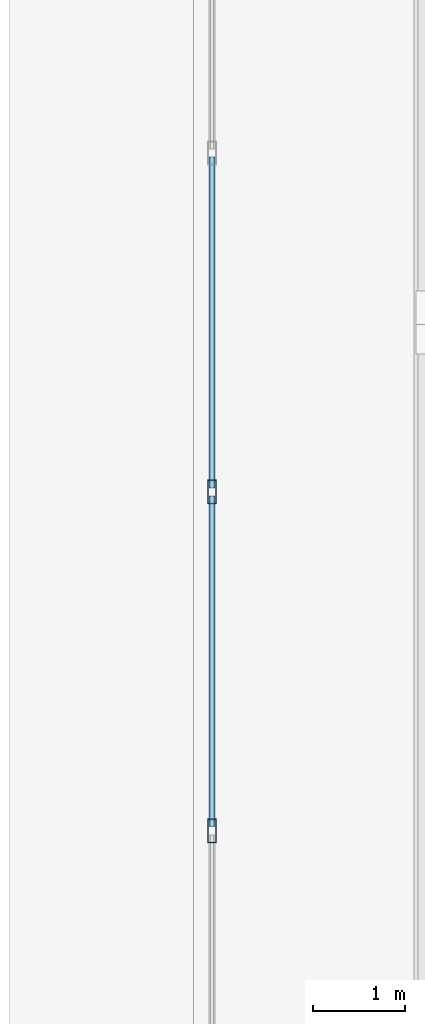
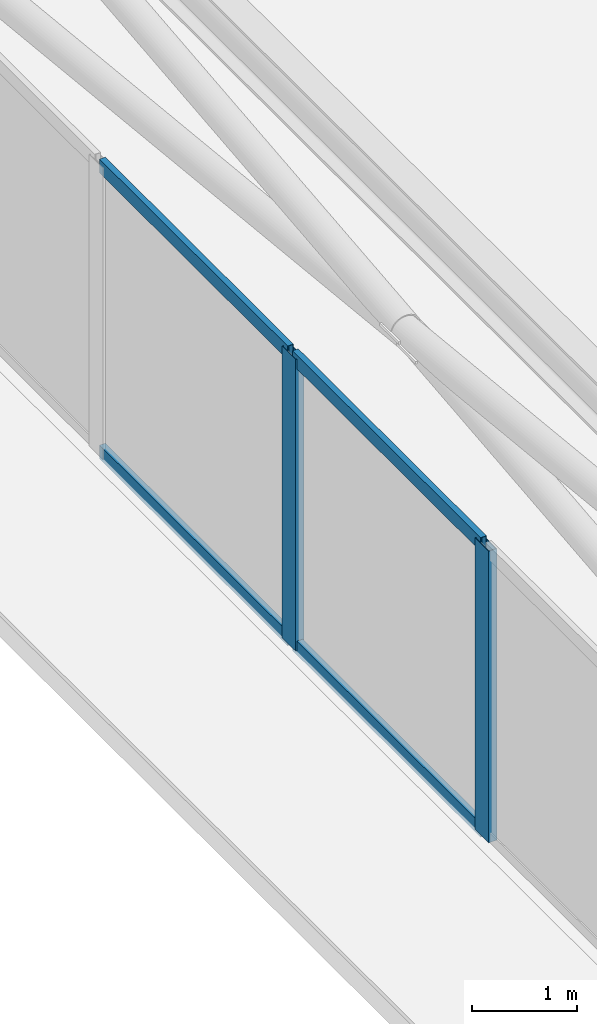
# One storey, part 4 of 23: 6 members, 1 element without a shape of its own.
"""IFC4 building model written with IfcOpenShell, lengths in metres."""

from ifc_helpers import new_model, si_unit, direction, frame, origin, origin_2d, place, context, subcontext, project, spatial, hollow_rectangle, extrude, material, layer, layer_set, material_profile, profile_set, type_object, element, aggregate, save


model = new_model("IFC4")

# Units and contexts
model_context = context("Model", 3, precision=1e-05, world=origin(), true_north=direction((0.0, 1.0)))
body_context = subcontext(model_context, "Body", "Model", "MODEL_VIEW")
ifc_project = project(units=[si_unit("LENGTHUNIT", "METRE"), si_unit("AREAUNIT", "SQUARE_METRE"), si_unit("VOLUMEUNIT", "CUBIC_METRE"), si_unit("PLANEANGLEUNIT", "RADIAN"), si_unit("MASSUNIT", "GRAM", prefix="KILO")], contexts=[model_context])

# Site, building, storey
site_placement = place(None, origin())
site = spatial("IfcSite", under=ifc_project, at=site_placement, CompositionType="ELEMENT")
building_placement = place(site_placement, origin())
building = spatial("IfcBuilding", under=site, at=building_placement, Name="Qobustan Lattice House", CompositionType="ELEMENT")
storey_placement = place(building_placement, frame((0.0, 0.0, 270.199951171875)))
storey = spatial("IfcBuildingStorey", under=building, at=storey_placement, Name="L76", CompositionType="ELEMENT", Elevation=270.199951171875)

# Curtain wall, members
ifc_material_1 = material(Name="Anodised aluminium and low-E glazing", Category="aluminium")
ifc_layer = layer(ifc_material_1, 0.219970703125)
ifc_layer_set = layer_set([ifc_layer], Name="Anodised aluminium and low-E glazing")
curtain_wall_type = type_object("IfcCurtainWallType", Name="CW-CRN-01", PredefinedType="USERDEFINED", material=ifc_layer_set)
curtain_wall_placement = place(storey_placement, origin())
curtain_wall = element("IfcCurtainWall", 1, at=curtain_wall_placement, inside=storey, type_object=curtain_wall_type, Name="L76 glass-point crown faceted curtain wall 5", ObjectType="CURTAIN WALL", PredefinedType="USERDEFINED")
ifc_material_2 = material(Name="Anodised aluminium EN AW-6063 T6", Category="aluminium")
ifc_material_profile_1 = material_profile(ifc_material_2, hollow_rectangle(XDim=0.090087890625, YDim=0.260009765625, WallThickness=0.006103515625, at=origin_2d()), Name="CWM-CROWN-260x90")
ifc_profile_set_1 = profile_set([ifc_material_profile_1], Name="Anodised aluminium EN AW-6063 T6")
member_type_1 = type_object("IfcMemberType", Name="CWM-CRN-260", PredefinedType="MULLION", material=ifc_profile_set_1)
member_1_placement = place(storey_placement, frame((-22.0, -7.128662109375, 0.0), z_axis=(0.0, 0.0, 1.0), x_axis=(-1.0, 0.0, 0.0)))
member_1 = element("IfcMember", 2, at=member_1_placement, type_object=member_type_1, Name="CW-CR mullion 3", PredefinedType="MULLION", context=body_context, shape_type="SweptSolid", body=[
    extrude(hollow_rectangle(XDim=0.090087890625, YDim=0.260009765625, WallThickness=0.006103515625, at=origin_2d()), origin(), (0.0, 0.0, 1.0), 3.400146484375),
])
member_2_placement = place(storey_placement, frame((-22.0, -3.44287109375, 0.0), z_axis=(0.0, 0.0, 1.0), x_axis=(-1.0, 0.0, 0.0)))
member_2 = element("IfcMember", 3, at=member_2_placement, type_object=member_type_1, Name="CW-CR mullion 4", PredefinedType="MULLION", context=body_context, shape_type="SweptSolid", body=[
    extrude(hollow_rectangle(XDim=0.090087890625, YDim=0.260009765625, WallThickness=0.006103515625, at=origin_2d()), origin(), (0.0, 0.0, 1.0), 3.400146484375),
])
ifc_material_3 = material(Name="Anodised aluminium EN AW-6063 T6", Category="aluminium")
ifc_material_profile_2 = material_profile(ifc_material_3, hollow_rectangle(XDim=0.06494140625, YDim=0.159912109375, WallThickness=0.00390625, at=origin_2d()), Name="CWT-160x65")
ifc_profile_set_2 = profile_set([ifc_material_profile_2], Name="Anodised aluminium EN AW-6063 T6")
member_type_2 = type_object("IfcMemberType", Name="CWT-HOR-160", PredefinedType="USERDEFINED", material=ifc_profile_set_2)
member_3_placement = place(storey_placement, frame((-22.0, -7.08349609375, 0.032470703125), z_axis=(0.0, 1.0, 0.0), x_axis=(-1.0, 0.0, 0.0)))
member_3 = element("IfcMember", 4, at=member_3_placement, type_object=member_type_2, Name="CW-CR transom 3.1", ObjectType="TRANSOM", PredefinedType="USERDEFINED", context=body_context, shape_type="SweptSolid", body=[
    extrude(hollow_rectangle(XDim=0.06494140625, YDim=0.159912109375, WallThickness=0.00390625, at=origin_2d()), origin(), (0.0, 0.0, 1.0), 3.595703125),
])
member_4_placement = place(storey_placement, frame((-22.0, -7.08349609375, 3.367431640625), z_axis=(0.0, 1.0, 0.0), x_axis=(-1.0, 0.0, 0.0)))
member_4 = element("IfcMember", 5, at=member_4_placement, type_object=member_type_2, Name="CW-CR transom 3.2", ObjectType="TRANSOM", PredefinedType="USERDEFINED", context=body_context, shape_type="SweptSolid", body=[
    extrude(hollow_rectangle(XDim=0.06494140625, YDim=0.159912109375, WallThickness=0.00390625, at=origin_2d()), origin(), (0.0, 0.0, 1.0), 3.595703125),
])
member_5_placement = place(storey_placement, frame((-22.0, -3.39794921875, 0.032470703125), z_axis=(0.0, 1.0, 0.0), x_axis=(-1.0, 0.0, 0.0)))
member_5 = element("IfcMember", 6, at=member_5_placement, type_object=member_type_2, Name="CW-CR transom 4.1", ObjectType="TRANSOM", PredefinedType="USERDEFINED", context=body_context, shape_type="SweptSolid", body=[
    extrude(hollow_rectangle(XDim=0.06494140625, YDim=0.159912109375, WallThickness=0.00390625, at=origin_2d()), origin(), (0.0, 0.0, 1.0), 3.595703125),
])
member_6_placement = place(storey_placement, frame((-22.0, -3.39794921875, 3.367431640625), z_axis=(0.0, 1.0, 0.0), x_axis=(-1.0, 0.0, 0.0)))
member_6 = element("IfcMember", 7, at=member_6_placement, type_object=member_type_2, Name="CW-CR transom 4.2", ObjectType="TRANSOM", PredefinedType="USERDEFINED", context=body_context, shape_type="SweptSolid", body=[
    extrude(hollow_rectangle(XDim=0.06494140625, YDim=0.159912109375, WallThickness=0.00390625, at=origin_2d()), origin(), (0.0, 0.0, 1.0), 3.595703125),
])
aggregate(curtain_wall, [member_1, member_2, member_3, member_4, member_5, member_6])

save(model, "model.ifc")
